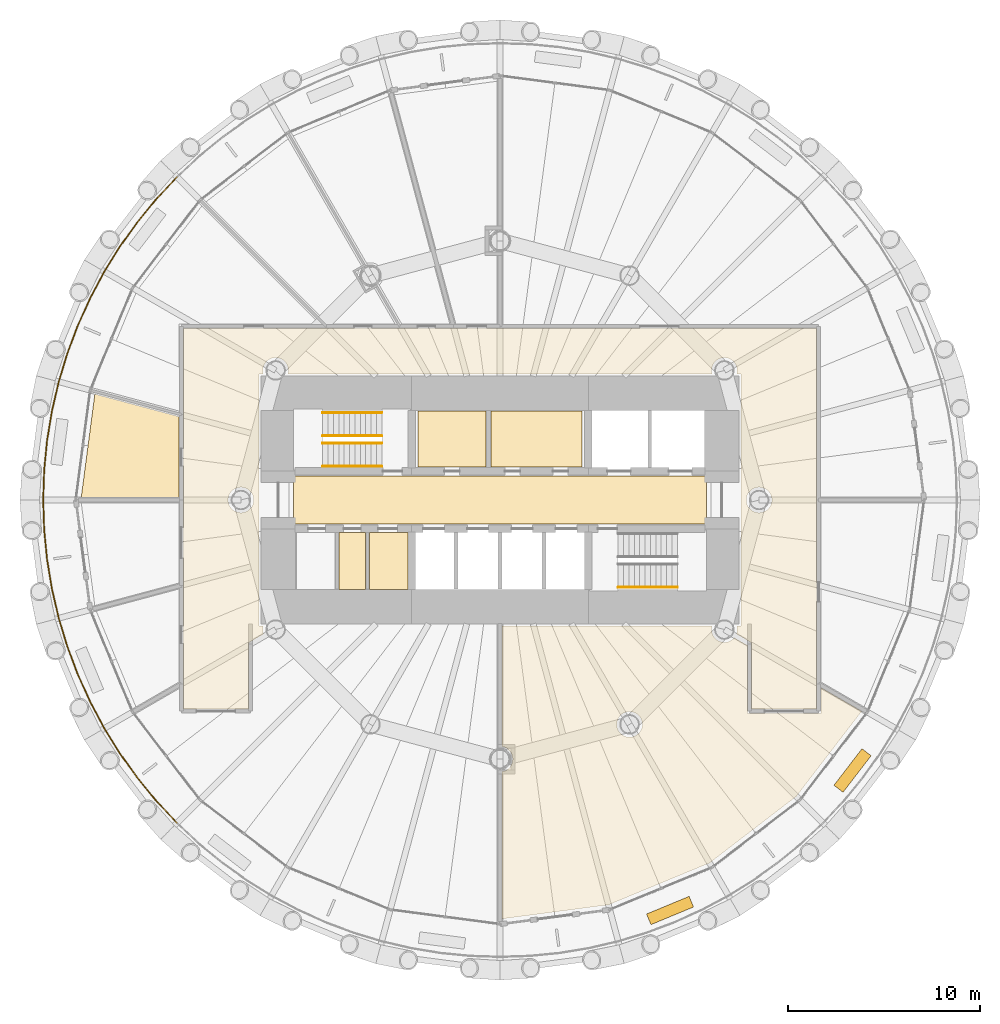
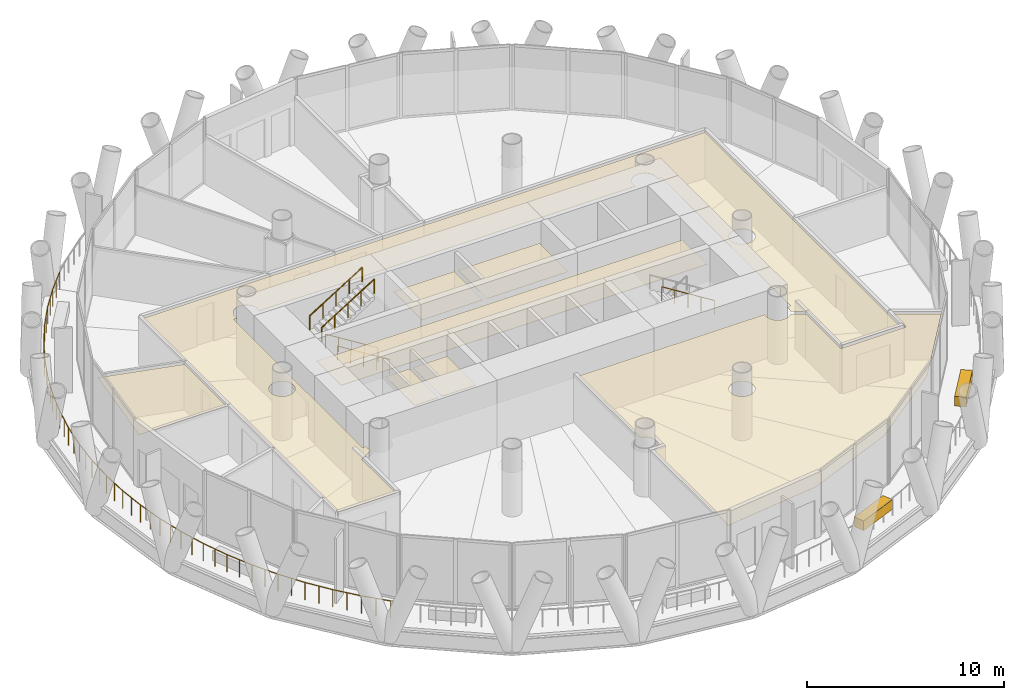
# One storey, part 13 of 15: 10 coverings, 6 railings.
"""IFC4 building model written with IfcOpenShell, lengths in metres."""

from ifc_helpers import new_model, si_unit, direction, frame, origin, origin_2d, place, context, subcontext, project, spatial, polyline, rectangle, circle, outline, extrude, material, layer, layer_set, type_object, element, save


model = new_model("IFC4")

# Units and contexts
model_context = context("Model", 3, precision=1e-05, world=origin(), true_north=direction((0.0, 1.0)))
body_context = subcontext(model_context, "Body", "Model", "MODEL_VIEW")
ifc_project = project(units=[si_unit("LENGTHUNIT", "METRE"), si_unit("AREAUNIT", "SQUARE_METRE"), si_unit("VOLUMEUNIT", "CUBIC_METRE"), si_unit("PLANEANGLEUNIT", "RADIAN"), si_unit("MASSUNIT", "GRAM", prefix="KILO")], contexts=[model_context])

# Site, building, storey
site_placement = place(None, origin())
site = spatial("IfcSite", under=ifc_project, at=site_placement, CompositionType="ELEMENT")
building_placement = place(site_placement, origin())
building = spatial("IfcBuilding", under=site, at=building_placement, Name="Qaws Media Tower", CompositionType="ELEMENT")
storey_placement = place(building_placement, frame((0.0, 0.0, 177.199951171875)))
storey = spatial("IfcBuildingStorey", under=building, at=storey_placement, Name="L40", CompositionType="ELEMENT", Elevation=177.199951171875)

# Railing
ifc_material_1 = material(Name="Stainless steel and glass guard", Category="steel")
railing_type_1 = type_object("IfcRailingType", Name="Balcony guard 1100", PredefinedType="GUARDRAIL", material=ifc_material_1)
railing_1_placement = place(storey_placement, frame((43.1708984375, 66.8291015625, 0.0)))
element("IfcRailing", 1, at=railing_1_placement, inside=storey, type_object=railing_type_1, Name="GR1 balcony guard L40-2", PredefinedType="GUARDRAIL", context=body_context, shape_type="SweptSolid", body=[
    extrude(circle(Radius=0.02392578125, at=origin_2d()), frame((0.0, 0.0, 1.076171875), z_axis=(-0.683607342491, -0.729849985471, 0.0), x_axis=(0.729849985471, -0.683607342491, 0.0)), (0.0, 0.0, 1.0), 1.557373046875),
    extrude(circle(Radius=0.02392578125, at=origin_2d()), frame((-1.064697265625, -1.13671875, 1.076171875), z_axis=(-0.634415098536, -0.772992550255, 0.0), x_axis=(0.772992550255, -0.634415098536, 0.0)), (0.0, 0.0, 1.0), 1.557373046875),
    extrude(circle(Radius=0.02392578125, at=origin_2d()), frame((-2.052734375, -2.340576171875, 1.076171875), z_axis=(-0.582527572079, -0.812810942204, 0.0), x_axis=(0.812810942204, -0.582527572079, 0.0)), (0.0, 0.0, 1.0), 1.557373046875),
    extrude(circle(Radius=0.02392578125, at=origin_2d()), frame((-2.9599609375, -3.6064453125, 1.076171875), z_axis=(-0.527940232617, -0.849281526223, 0.0), x_axis=(0.849281526223, -0.527940232617, 0.0)), (0.0, 0.0, 1.0), 1.5576171875),
    extrude(circle(Radius=0.02392578125, at=origin_2d()), frame((-3.7822265625, -4.92919921875, 1.076171875), z_axis=(-0.471377271187, -0.881931668673, 0.0), x_axis=(0.881931668673, -0.471377271187, 0.0)), (0.0, 0.0, 1.0), 1.557373046875),
    extrude(circle(Radius=0.02392578125, at=origin_2d()), frame((-4.516357421875, -6.302734375, 1.076171875), z_axis=(-0.412775086352, -0.910832985836, 0.0), x_axis=(0.910832985836, -0.412775086352, 0.0)), (0.0, 0.0, 1.0), 1.557373046875),
    extrude(circle(Radius=0.02392578125, at=origin_2d()), frame((-5.1591796875, -7.72119140625, 1.076171875), z_axis=(-0.352205389808, -0.935922733665, 0.0), x_axis=(0.935922733665, -0.352205389808, 0.0)), (0.0, 0.0, 1.0), 1.5576171875),
    extrude(circle(Radius=0.02392578125, at=origin_2d()), frame((-5.707763671875, -9.178955078125, 1.076171875), z_axis=(-0.29033805853, -0.956924141073, 0.0), x_axis=(0.956924141073, -0.29033805853, 0.0)), (0.0, 0.0, 1.0), 1.557373046875),
    extrude(circle(Radius=0.02392578125, at=origin_2d()), frame((-6.159912109375, -10.669189453125, 1.076171875), z_axis=(-0.227125557152, -0.973865484186, 0.0), x_axis=(0.973865484186, -0.227125557152, 0.0)), (0.0, 0.0, 1.0), 1.5576171875),
    extrude(circle(Radius=0.02392578125, at=origin_2d()), frame((-6.513671875, -12.18603515625, 1.076171875), z_axis=(-0.162873559095, -0.9866469499, 0.0), x_axis=(0.9866469499, -0.162873559095, 0.0)), (0.0, 0.0, 1.0), 1.557373046875),
    extrude(circle(Radius=0.02392578125, at=origin_2d()), frame((-6.767333984375, -13.72265625, 1.076171875), z_axis=(-0.097982449474, -0.995188142813, 0.0), x_axis=(0.995188142813, -0.097982449474, 0.0)), (0.0, 0.0, 1.0), 1.557373046875),
    extrude(circle(Radius=0.02392578125, at=origin_2d()), frame((-6.919921875, -15.2724609375, 1.076171875), z_axis=(-0.032761575887, -0.999463195493, 0.0), x_axis=(0.999463195493, -0.032761575887, 0.0)), (0.0, 0.0, 1.0), 1.557373046875),
    extrude(circle(Radius=0.02392578125, at=origin_2d()), frame((-6.970947265625, -16.8291015625, 1.076171875), z_axis=(0.032761575887, -0.999463195493, 0.0), x_axis=(0.999463195493, 0.032761575887, 0.0)), (0.0, 0.0, 1.0), 1.557373046875),
    extrude(circle(Radius=0.02392578125, at=origin_2d()), frame((-6.919921875, -18.3857421875, 1.076171875), z_axis=(0.097982449474, -0.995188142813, 0.0), x_axis=(0.995188142813, 0.097982449474, 0.0)), (0.0, 0.0, 1.0), 1.557373046875),
    extrude(circle(Radius=0.02392578125, at=origin_2d()), frame((-6.767333984375, -19.935546875, 1.076171875), z_axis=(0.162873559095, -0.9866469499, 0.0), x_axis=(0.9866469499, 0.162873559095, 0.0)), (0.0, 0.0, 1.0), 1.557373046875),
    extrude(circle(Radius=0.02392578125, at=origin_2d()), frame((-6.513671875, -21.47216796875, 1.076171875), z_axis=(0.227125557152, -0.973865484186, 0.0), x_axis=(0.973865484186, 0.227125557152, 0.0)), (0.0, 0.0, 1.0), 1.5576171875),
    extrude(circle(Radius=0.02392578125, at=origin_2d()), frame((-6.159912109375, -22.989013671875, 1.076171875), z_axis=(0.29033805853, -0.956924141073, 0.0), x_axis=(0.956924141073, 0.29033805853, 0.0)), (0.0, 0.0, 1.0), 1.557373046875),
    extrude(circle(Radius=0.02392578125, at=origin_2d()), frame((-5.707763671875, -24.479248046875, 1.076171875), z_axis=(0.352205389808, -0.935922733665, 0.0), x_axis=(0.935922733665, 0.352205389808, 0.0)), (0.0, 0.0, 1.0), 1.5576171875),
    extrude(circle(Radius=0.02392578125, at=origin_2d()), frame((-5.1591796875, -25.93701171875, 1.076171875), z_axis=(0.412775086352, -0.910832985836, 0.0), x_axis=(0.910832985836, 0.412775086352, 0.0)), (0.0, 0.0, 1.0), 1.557373046875),
    extrude(circle(Radius=0.02392578125, at=origin_2d()), frame((-4.516357421875, -27.35546875, 1.076171875), z_axis=(0.471377271187, -0.881931668673, 0.0), x_axis=(0.881931668673, 0.471377271187, 0.0)), (0.0, 0.0, 1.0), 1.557373046875),
    extrude(circle(Radius=0.02392578125, at=origin_2d()), frame((-3.7822265625, -28.72900390625, 1.076171875), z_axis=(0.527940232617, -0.849281526223, 0.0), x_axis=(0.849281526223, 0.527940232617, 0.0)), (0.0, 0.0, 1.0), 1.5576171875),
    extrude(circle(Radius=0.02392578125, at=origin_2d()), frame((-2.9599609375, -30.0517578125, 1.076171875), z_axis=(0.582527572079, -0.812810942204, 0.0), x_axis=(0.812810942204, 0.582527572079, 0.0)), (0.0, 0.0, 1.0), 1.557373046875),
    extrude(circle(Radius=0.02392578125, at=origin_2d()), frame((-2.052734375, -31.317626953125, 1.076171875), z_axis=(0.634415098536, -0.772992550255, 0.0), x_axis=(0.772992550255, 0.634415098536, 0.0)), (0.0, 0.0, 1.0), 1.557373046875),
    extrude(circle(Radius=0.02392578125, at=origin_2d()), frame((-1.064697265625, -32.521484375, 1.076171875), z_axis=(0.683607342491, -0.729849985471, 0.0), x_axis=(0.729849985471, 0.683607342491, 0.0)), (0.0, 0.0, 1.0), 1.557373046875),
    extrude(circle(Radius=0.02099609375, at=origin_2d()), origin(), (0.0, 0.0, 1.0), 1.052001953125),
    extrude(circle(Radius=0.02099609375, at=origin_2d()), frame((-0.5322265625, -0.568359375, 0.0)), (0.0, 0.0, 1.0), 1.052001953125),
    extrude(circle(Radius=0.02099609375, at=origin_2d()), frame((-1.064697265625, -1.13671875, 0.0)), (0.0, 0.0, 1.0), 1.052001953125),
    extrude(circle(Radius=0.02099609375, at=origin_2d()), frame((-1.55859375, -1.73876953125, 0.0)), (0.0, 0.0, 1.0), 1.052001953125),
    extrude(circle(Radius=0.02099609375, at=origin_2d()), frame((-2.052734375, -2.340576171875, 0.0)), (0.0, 0.0, 1.0), 1.052001953125),
    extrude(circle(Radius=0.02099609375, at=origin_2d()), frame((-2.50634765625, -2.9736328125, 0.0)), (0.0, 0.0, 1.0), 1.052001953125),
    extrude(circle(Radius=0.02099609375, at=origin_2d()), frame((-2.9599609375, -3.6064453125, 0.0)), (0.0, 0.0, 1.0), 1.052001953125),
    extrude(circle(Radius=0.02099609375, at=origin_2d()), frame((-3.37109375, -4.267822265625, 0.0)), (0.0, 0.0, 1.0), 1.052001953125),
    extrude(circle(Radius=0.02099609375, at=origin_2d()), frame((-3.7822265625, -4.92919921875, 0.0)), (0.0, 0.0, 1.0), 1.052001953125),
    extrude(circle(Radius=0.02099609375, at=origin_2d()), frame((-4.1494140625, -5.615966796875, 0.0)), (0.0, 0.0, 1.0), 1.052001953125),
    extrude(circle(Radius=0.02099609375, at=origin_2d()), frame((-4.516357421875, -6.302734375, 0.0)), (0.0, 0.0, 1.0), 1.052001953125),
    extrude(circle(Radius=0.02099609375, at=origin_2d()), frame((-4.837890625, -7.011962890625, 0.0)), (0.0, 0.0, 1.0), 1.052001953125),
    extrude(circle(Radius=0.02099609375, at=origin_2d()), frame((-5.1591796875, -7.72119140625, 0.0)), (0.0, 0.0, 1.0), 1.052001953125),
    extrude(circle(Radius=0.02099609375, at=origin_2d()), frame((-5.43359375, -8.4501953125, 0.0)), (0.0, 0.0, 1.0), 1.052001953125),
    extrude(circle(Radius=0.02099609375, at=origin_2d()), frame((-5.707763671875, -9.178955078125, 0.0)), (0.0, 0.0, 1.0), 1.052001953125),
    extrude(circle(Radius=0.02099609375, at=origin_2d()), frame((-5.933837890625, -9.924072265625, 0.0)), (0.0, 0.0, 1.0), 1.052001953125),
    extrude(circle(Radius=0.02099609375, at=origin_2d()), frame((-6.159912109375, -10.669189453125, 0.0)), (0.0, 0.0, 1.0), 1.052001953125),
    extrude(circle(Radius=0.02099609375, at=origin_2d()), frame((-6.3369140625, -11.427734375, 0.0)), (0.0, 0.0, 1.0), 1.052001953125),
    extrude(circle(Radius=0.02099609375, at=origin_2d()), frame((-6.513671875, -12.18603515625, 0.0)), (0.0, 0.0, 1.0), 1.052001953125),
    extrude(circle(Radius=0.02099609375, at=origin_2d()), frame((-6.640625, -12.954345703125, 0.0)), (0.0, 0.0, 1.0), 1.052001953125),
    extrude(circle(Radius=0.02099609375, at=origin_2d()), frame((-6.767333984375, -13.72265625, 0.0)), (0.0, 0.0, 1.0), 1.052001953125),
    extrude(circle(Radius=0.02099609375, at=origin_2d()), frame((-6.84375, -14.49755859375, 0.0)), (0.0, 0.0, 1.0), 1.052001953125),
    extrude(circle(Radius=0.02099609375, at=origin_2d()), frame((-6.919921875, -15.2724609375, 0.0)), (0.0, 0.0, 1.0), 1.052001953125),
    extrude(circle(Radius=0.02099609375, at=origin_2d()), frame((-6.9453125, -16.05078125, 0.0)), (0.0, 0.0, 1.0), 1.052001953125),
    extrude(circle(Radius=0.02099609375, at=origin_2d()), frame((-6.970947265625, -16.8291015625, 0.0)), (0.0, 0.0, 1.0), 1.052001953125),
    extrude(circle(Radius=0.02099609375, at=origin_2d()), frame((-6.9453125, -17.607421875, 0.0)), (0.0, 0.0, 1.0), 1.052001953125),
    extrude(circle(Radius=0.02099609375, at=origin_2d()), frame((-6.919921875, -18.3857421875, 0.0)), (0.0, 0.0, 1.0), 1.052001953125),
    extrude(circle(Radius=0.02099609375, at=origin_2d()), frame((-6.84375, -19.16064453125, 0.0)), (0.0, 0.0, 1.0), 1.052001953125),
    extrude(circle(Radius=0.02099609375, at=origin_2d()), frame((-6.767333984375, -19.935546875, 0.0)), (0.0, 0.0, 1.0), 1.052001953125),
    extrude(circle(Radius=0.02099609375, at=origin_2d()), frame((-6.640625, -20.703857421875, 0.0)), (0.0, 0.0, 1.0), 1.052001953125),
    extrude(circle(Radius=0.02099609375, at=origin_2d()), frame((-6.513671875, -21.47216796875, 0.0)), (0.0, 0.0, 1.0), 1.052001953125),
    extrude(circle(Radius=0.02099609375, at=origin_2d()), frame((-6.3369140625, -22.23046875, 0.0)), (0.0, 0.0, 1.0), 1.052001953125),
    extrude(circle(Radius=0.02099609375, at=origin_2d()), frame((-6.159912109375, -22.989013671875, 0.0)), (0.0, 0.0, 1.0), 1.052001953125),
    extrude(circle(Radius=0.02099609375, at=origin_2d()), frame((-5.933837890625, -23.734130859375, 0.0)), (0.0, 0.0, 1.0), 1.052001953125),
    extrude(circle(Radius=0.02099609375, at=origin_2d()), frame((-5.707763671875, -24.479248046875, 0.0)), (0.0, 0.0, 1.0), 1.052001953125),
    extrude(circle(Radius=0.02099609375, at=origin_2d()), frame((-5.43359375, -25.2080078125, 0.0)), (0.0, 0.0, 1.0), 1.052001953125),
    extrude(circle(Radius=0.02099609375, at=origin_2d()), frame((-5.1591796875, -25.93701171875, 0.0)), (0.0, 0.0, 1.0), 1.052001953125),
    extrude(circle(Radius=0.02099609375, at=origin_2d()), frame((-4.837890625, -26.646240234375, 0.0)), (0.0, 0.0, 1.0), 1.052001953125),
    extrude(circle(Radius=0.02099609375, at=origin_2d()), frame((-4.516357421875, -27.35546875, 0.0)), (0.0, 0.0, 1.0), 1.052001953125),
    extrude(circle(Radius=0.02099609375, at=origin_2d()), frame((-4.1494140625, -28.042236328125, 0.0)), (0.0, 0.0, 1.0), 1.052001953125),
    extrude(circle(Radius=0.02099609375, at=origin_2d()), frame((-3.7822265625, -28.72900390625, 0.0)), (0.0, 0.0, 1.0), 1.052001953125),
    extrude(circle(Radius=0.02099609375, at=origin_2d()), frame((-3.37109375, -29.390380859375, 0.0)), (0.0, 0.0, 1.0), 1.052001953125),
    extrude(circle(Radius=0.02099609375, at=origin_2d()), frame((-2.9599609375, -30.0517578125, 0.0)), (0.0, 0.0, 1.0), 1.052001953125),
    extrude(circle(Radius=0.02099609375, at=origin_2d()), frame((-2.50634765625, -30.6845703125, 0.0)), (0.0, 0.0, 1.0), 1.052001953125),
    extrude(circle(Radius=0.02099609375, at=origin_2d()), frame((-2.052734375, -31.317626953125, 0.0)), (0.0, 0.0, 1.0), 1.052001953125),
    extrude(circle(Radius=0.02099609375, at=origin_2d()), frame((-1.55859375, -31.91943359375, 0.0)), (0.0, 0.0, 1.0), 1.052001953125),
    extrude(circle(Radius=0.02099609375, at=origin_2d()), frame((-1.064697265625, -32.521484375, 0.0)), (0.0, 0.0, 1.0), 1.052001953125),
    extrude(circle(Radius=0.02099609375, at=origin_2d()), frame((-0.5322265625, -33.08984375, 0.0)), (0.0, 0.0, 1.0), 1.052001953125),
    extrude(circle(Radius=0.02099609375, at=origin_2d()), frame((0.0, -33.658203125, 0.0)), (0.0, 0.0, 1.0), 1.052001953125),
])

# Coverings
ifc_material_2 = material(Name="600 x 600 mineral fibre tiles in exposed grid, suspended", Category="mineral fibre")
ifc_layer_1 = layer(ifc_material_2, 0.02001953125)
ifc_layer_set_1 = layer_set([ifc_layer_1], Name="Mineral fibre tile ceiling 20")
covering_type_1 = type_object("IfcCoveringType", Name="Mineral fibre tile ceiling 20", PredefinedType="CEILING", material=ifc_layer_set_1)
covering_1_placement = place(storey_placement, frame((0.0, 0.0, 2.85009765625)))
element("IfcCovering", 2, at=covering_1_placement, inside=storey, type_object=covering_type_1, Name="CL1 ceiling L40-C07 Gents toilets", PredefinedType="CEILING", context=body_context, shape_type="SweptSolid", body=[
    extrude(outline(polyline([(55.719970703125, 51.719970703125), (55.719970703125, 54.6298828125), (59.280029296875, 54.6298828125), (59.280029296875, 51.719970703125), (55.719970703125, 51.719970703125)])), origin(), (0.0, 0.0, 1.0), 0.02001953125),
])
covering_2_placement = place(storey_placement, frame((0.0, 0.0, 2.85009765625)))
element("IfcCovering", 3, at=covering_2_placement, inside=storey, type_object=covering_type_1, Name="CL1 ceiling L40-C08 Ladies toilets", PredefinedType="CEILING", context=body_context, shape_type="SweptSolid", body=[
    extrude(outline(polyline([(59.52001953125, 51.719970703125), (59.52001953125, 54.6298828125), (64.280029296875, 54.6298828125), (64.280029296875, 51.719970703125), (59.52001953125, 51.719970703125)])), origin(), (0.0, 0.0, 1.0), 0.02001953125),
])
covering_3_placement = place(storey_placement, frame((0.0, 0.0, 2.85009765625)))
element("IfcCovering", 4, at=covering_3_placement, inside=storey, type_object=covering_type_1, Name="CL1 ceiling L40-01 Corridor", PredefinedType="CEILING", context=body_context, shape_type="SweptSolid", body=[
    extrude(outline(polyline([(43.512451171875, 39.112548828125), (43.512451171875, 58.9375), (76.487548828125, 58.9375), (76.487548828125, 39.112548828125), (73.112548828125, 39.112548828125), (73.112548828125, 42.559326171875), (72.31689453125, 43.018798828125), (72.336669921875, 43.0771484375), (72.353515625, 43.162841796875), (72.359375, 43.25), (72.353515625, 43.337158203125), (72.336669921875, 43.4228515625), (72.33154296875, 43.4375), (72.5625, 43.4375), (72.5625, 56.5625), (72.33154296875, 56.5625), (72.336669921875, 56.5771484375), (72.353515625, 56.662841796875), (72.359375, 56.75), (72.353515625, 56.837158203125), (72.336669921875, 56.9228515625), (72.30859375, 57.005615234375), (72.269775390625, 57.083984375), (72.22119140625, 57.15673828125), (72.163818359375, 57.222412109375), (72.097900390625, 57.280029296875), (72.025390625, 57.32861328125), (71.947021484375, 57.3671875), (71.8642578125, 57.395263671875), (71.778564453125, 57.412353515625), (71.69140625, 57.41796875), (71.604248046875, 57.412353515625), (71.5185546875, 57.395263671875), (71.435791015625, 57.3671875), (71.357421875, 57.32861328125), (71.28466796875, 57.280029296875), (71.218994140625, 57.222412109375), (71.161376953125, 57.15673828125), (71.11279296875, 57.083984375), (71.07421875, 57.005615234375), (71.046142578125, 56.9228515625), (71.029052734375, 56.837158203125), (71.023193359375, 56.75), (71.029052734375, 56.662841796875), (71.046142578125, 56.5771484375), (71.051025390625, 56.5625), (48.948974609375, 56.5625), (48.953857421875, 56.5771484375), (48.970947265625, 56.662841796875), (48.976806640625, 56.75), (48.970947265625, 56.837158203125), (48.953857421875, 56.9228515625), (48.92578125, 57.005615234375), (48.88720703125, 57.083984375), (48.838623046875, 57.15673828125), (48.781005859375, 57.222412109375), (48.71533203125, 57.280029296875), (48.642578125, 57.32861328125), (48.564208984375, 57.3671875), (48.4814453125, 57.395263671875), (48.395751953125, 57.412353515625), (48.30859375, 57.41796875), (48.221435546875, 57.412353515625), (48.1357421875, 57.395263671875), (48.052978515625, 57.3671875), (47.974609375, 57.32861328125), (47.902099609375, 57.280029296875), (47.836181640625, 57.222412109375), (47.77880859375, 57.15673828125), (47.730224609375, 57.083984375), (47.69140625, 57.005615234375), (47.663330078125, 56.9228515625), (47.646484375, 56.837158203125), (47.640625, 56.75), (47.646484375, 56.662841796875), (47.663330078125, 56.5771484375), (47.66845703125, 56.5625), (47.4375, 56.5625), (47.4375, 43.4375), (47.66845703125, 43.4375), (47.663330078125, 43.4228515625), (47.646484375, 43.337158203125), (47.640625, 43.25), (47.646484375, 43.162841796875), (47.663330078125, 43.0771484375), (47.68310546875, 43.018798828125), (46.887451171875, 42.559326171875), (46.887451171875, 39.112548828125), (43.512451171875, 39.112548828125)]), holes=[polyline([(47.1171875, 49.744384765625), (47.145263671875, 49.8271484375), (47.162353515625, 49.912841796875), (47.16796875, 50.0), (47.162353515625, 50.087158203125), (47.145263671875, 50.1728515625), (47.1171875, 50.255615234375), (47.07861328125, 50.333984375), (47.030029296875, 50.40673828125), (46.972412109375, 50.472412109375), (46.90673828125, 50.530029296875), (46.833984375, 50.57861328125), (46.755615234375, 50.6171875), (46.6728515625, 50.645263671875), (46.587158203125, 50.662353515625), (46.5, 50.66796875), (46.412841796875, 50.662353515625), (46.3271484375, 50.645263671875), (46.244384765625, 50.6171875), (46.166015625, 50.57861328125), (46.09326171875, 50.530029296875), (46.027587890625, 50.472412109375), (45.969970703125, 50.40673828125), (45.92138671875, 50.333984375), (45.8828125, 50.255615234375), (45.854736328125, 50.1728515625), (45.837646484375, 50.087158203125), (45.83203125, 50.0), (45.837646484375, 49.912841796875), (45.854736328125, 49.8271484375), (45.8828125, 49.744384765625), (45.92138671875, 49.666015625), (45.969970703125, 49.59326171875), (46.027587890625, 49.527587890625), (46.09326171875, 49.469970703125), (46.166015625, 49.42138671875), (46.244384765625, 49.3828125), (46.3271484375, 49.354736328125), (46.412841796875, 49.337646484375), (46.5, 49.33203125), (46.587158203125, 49.337646484375), (46.6728515625, 49.354736328125), (46.755615234375, 49.3828125), (46.833984375, 49.42138671875), (46.90673828125, 49.469970703125), (46.972412109375, 49.527587890625), (47.030029296875, 49.59326171875), (47.07861328125, 49.666015625), (47.1171875, 49.744384765625)]), polyline([(74.145263671875, 49.8271484375), (74.162353515625, 49.912841796875), (74.16796875, 50.0), (74.162353515625, 50.087158203125), (74.145263671875, 50.1728515625), (74.1171875, 50.255615234375), (74.07861328125, 50.333984375), (74.030029296875, 50.40673828125), (73.972412109375, 50.472412109375), (73.90673828125, 50.530029296875), (73.833984375, 50.57861328125), (73.755615234375, 50.6171875), (73.6728515625, 50.645263671875), (73.587158203125, 50.662353515625), (73.5, 50.66796875), (73.412841796875, 50.662353515625), (73.3271484375, 50.645263671875), (73.244384765625, 50.6171875), (73.166015625, 50.57861328125), (73.09326171875, 50.530029296875), (73.027587890625, 50.472412109375), (72.969970703125, 50.40673828125), (72.92138671875, 50.333984375), (72.8828125, 50.255615234375), (72.854736328125, 50.1728515625), (72.837646484375, 50.087158203125), (72.83203125, 50.0), (72.837646484375, 49.912841796875), (72.854736328125, 49.8271484375), (72.8828125, 49.744384765625), (72.92138671875, 49.666015625), (72.969970703125, 49.59326171875), (73.027587890625, 49.527587890625), (73.09326171875, 49.469970703125), (73.166015625, 49.42138671875), (73.244384765625, 49.3828125), (73.3271484375, 49.354736328125), (73.412841796875, 49.337646484375), (73.5, 49.33203125), (73.587158203125, 49.337646484375), (73.6728515625, 49.354736328125), (73.755615234375, 49.3828125), (73.833984375, 49.42138671875), (73.90673828125, 49.469970703125), (73.972412109375, 49.527587890625), (74.030029296875, 49.59326171875), (74.07861328125, 49.666015625), (74.1171875, 49.744384765625), (74.145263671875, 49.8271484375)])]), origin(), (0.0, 0.0, 1.0), 0.02001953125),
])
covering_4_placement = place(storey_placement, frame((0.0, 0.0, 2.85009765625)))
element("IfcCovering", 5, at=covering_4_placement, inside=storey, type_object=covering_type_1, Name="CL1 ceiling L40-07 Office", PredefinedType="CEILING", context=body_context, shape_type="SweptSolid", body=[
    extrude(outline(polyline([(38.89404296875, 55.538818359375), (43.28759765625, 54.361572265625), (43.28759765625, 50.112548828125), (38.1796875, 50.112548828125), (38.89404296875, 55.538818359375)])), origin(), (0.0, 0.0, 1.0), 0.02001953125),
])
covering_5_placement = place(storey_placement, frame((0.0, 0.0, 2.85009765625)))
element("IfcCovering", 6, at=covering_5_placement, inside=storey, type_object=covering_type_1, Name="CL1 ceiling L40-11 Communications office", PredefinedType="CEILING", context=body_context, shape_type="SweptSolid", body=[
    extrude(outline(polyline([(72.887451171875, 38.887451171875), (76.71240234375, 38.887451171875), (76.71240234375, 40.22119140625), (78.8408203125, 38.992431640625), (75.439697265625, 34.560302734375), (70.91748046875, 31.090087890625), (65.6513671875, 28.90869140625), (60.112548828125, 28.1796875), (60.112548828125, 35.8427734375), (60.1728515625, 35.854736328125), (60.255615234375, 35.8828125), (60.333984375, 35.92138671875), (60.40673828125, 35.969970703125), (60.472412109375, 36.027587890625), (60.530029296875, 36.09326171875), (60.57861328125, 36.166015625), (60.6171875, 36.244384765625), (60.645263671875, 36.3271484375), (60.662353515625, 36.412841796875), (60.66796875, 36.5), (60.662353515625, 36.587158203125), (60.645263671875, 36.6728515625), (60.6171875, 36.755615234375), (60.57861328125, 36.833984375), (60.530029296875, 36.90673828125), (60.472412109375, 36.972412109375), (60.40673828125, 37.030029296875), (60.333984375, 37.07861328125), (60.255615234375, 37.1171875), (60.1728515625, 37.145263671875), (60.112548828125, 37.1572265625), (60.112548828125, 43.4375), (71.051025390625, 43.4375), (71.046142578125, 43.4228515625), (71.029052734375, 43.337158203125), (71.023193359375, 43.25), (71.029052734375, 43.162841796875), (71.046142578125, 43.0771484375), (71.07421875, 42.994384765625), (71.11279296875, 42.916015625), (71.161376953125, 42.84326171875), (71.218994140625, 42.777587890625), (71.28466796875, 42.719970703125), (71.357421875, 42.67138671875), (71.435791015625, 42.6328125), (71.5185546875, 42.604736328125), (71.604248046875, 42.587646484375), (71.69140625, 42.58203125), (71.778564453125, 42.587646484375), (71.8642578125, 42.604736328125), (71.947021484375, 42.6328125), (72.025390625, 42.67138671875), (72.097900390625, 42.719970703125), (72.163818359375, 42.777587890625), (72.204345703125, 42.823974609375), (72.887451171875, 42.429443359375), (72.887451171875, 38.887451171875)]), holes=[polyline([(67.3671875, 38.052978515625), (67.395263671875, 38.1357421875), (67.412353515625, 38.221435546875), (67.41796875, 38.30859375), (67.412353515625, 38.395751953125), (67.395263671875, 38.4814453125), (67.3671875, 38.564208984375), (67.32861328125, 38.642578125), (67.280029296875, 38.71533203125), (67.222412109375, 38.781005859375), (67.15673828125, 38.838623046875), (67.083984375, 38.88720703125), (67.005615234375, 38.92578125), (66.9228515625, 38.953857421875), (66.837158203125, 38.970947265625), (66.75, 38.976806640625), (66.662841796875, 38.970947265625), (66.5771484375, 38.953857421875), (66.494384765625, 38.92578125), (66.416015625, 38.88720703125), (66.34326171875, 38.838623046875), (66.277587890625, 38.781005859375), (66.219970703125, 38.71533203125), (66.17138671875, 38.642578125), (66.1328125, 38.564208984375), (66.104736328125, 38.4814453125), (66.087646484375, 38.395751953125), (66.08203125, 38.30859375), (66.087646484375, 38.221435546875), (66.104736328125, 38.1357421875), (66.1328125, 38.052978515625), (66.17138671875, 37.974609375), (66.219970703125, 37.902099609375), (66.277587890625, 37.836181640625), (66.34326171875, 37.77880859375), (66.416015625, 37.730224609375), (66.494384765625, 37.69140625), (66.5771484375, 37.663330078125), (66.662841796875, 37.646484375), (66.75, 37.640625), (66.837158203125, 37.646484375), (66.9228515625, 37.663330078125), (67.005615234375, 37.69140625), (67.083984375, 37.730224609375), (67.15673828125, 37.77880859375), (67.222412109375, 37.836181640625), (67.280029296875, 37.902099609375), (67.32861328125, 37.974609375), (67.3671875, 38.052978515625)])]), origin(), (0.0, 0.0, 1.0), 0.02001953125),
])
covering_6_placement = place(storey_placement, frame((0.0, 0.0, 2.85009765625)))
element("IfcCovering", 7, at=covering_6_placement, inside=storey, type_object=covering_type_1, Name="CL1 ceiling L40-C05 First aid room", PredefinedType="CEILING", context=body_context, shape_type="SweptSolid", body=[
    extrude(outline(polyline([(51.60009765625, 45.35009765625), (51.60009765625, 48.300048828125), (53.0, 48.300048828125), (53.0, 45.35009765625), (51.60009765625, 45.35009765625)])), origin(), (0.0, 0.0, 1.0), 0.02001953125),
])
ifc_material_3 = material(Name="Precast concrete planter with trailing planting", Category="concrete")
ifc_layer_2 = layer(ifc_material_3, 0.60009765625)
ifc_layer_set_2 = layer_set([ifc_layer_2], Name="Planter 2400x600")
covering_type_2 = type_object("IfcCoveringType", Name="Planter 2400x600", PredefinedType="USERDEFINED", material=ifc_layer_set_2)
for number, where, z_axis, x_axis, name in (
    (8, (68.859130859375, 28.6123046875, 0.0), (0.0, 0.0, 1.0), (0.923879532511, 0.382683432365, 0.0), "PL1 balcony planter L40-10"),
    (9, (78.3662109375, 35.9072265625, 0.0), (0.0, 0.0, 1.0), (0.608761429009, 0.793353340291, 0.0), "PL1 balcony planter L40-11"),
):
    element("IfcCovering", number, at=place(storey_placement, frame(where, z_axis=z_axis, x_axis=x_axis)), inside=storey, type_object=covering_type_2, Name=name, ObjectType="PLANTER", PredefinedType="USERDEFINED", context=body_context, shape_type="SweptSolid", body=[
        extrude(rectangle(XDim=2.39990234375, YDim=0.60009765625, at=origin_2d()), origin(), (0.0, 0.0, 1.0), 0.60009765625),
    ])
ifc_material_4 = material(Name="Two layers 12.5 moisture-resistant plasterboard on suspended metal furring", Category="gypsum")
ifc_layer_3 = layer(ifc_material_4, 0.02490234375)
ifc_layer_set_3 = layer_set([ifc_layer_3], Name="Plasterboard ceiling 25")
covering_type_3 = type_object("IfcCoveringType", Name="Plasterboard ceiling 25", PredefinedType="CEILING", material=ifc_layer_set_3)
covering_7_placement = place(storey_placement, frame((0.0, 0.0, 2.85009765625)))
element("IfcCovering", 10, at=covering_7_placement, inside=storey, type_object=covering_type_3, Name="CL2 ceiling L40-C01 Lift lobby", PredefinedType="CEILING", context=body_context, shape_type="SweptSolid", body=[
    extrude(outline(polyline([(49.25, 48.75), (49.25, 51.25), (70.75, 51.25), (70.75, 48.75), (49.25, 48.75)])), origin(), (0.0, 0.0, 1.0), 0.02490234375),
])
covering_8_placement = place(storey_placement, frame((0.0, 0.0, 2.85009765625)))
element("IfcCovering", 11, at=covering_8_placement, inside=storey, type_object=covering_type_3, Name="CL2 ceiling L40-C06 Accessible WC", PredefinedType="CEILING", context=body_context, shape_type="SweptSolid", body=[
    extrude(outline(polyline([(53.199951171875, 45.35009765625), (53.199951171875, 48.300048828125), (55.199951171875, 48.300048828125), (55.199951171875, 45.35009765625), (53.199951171875, 45.35009765625)])), origin(), (0.0, 0.0, 1.0), 0.02490234375),
])

# Railings
ifc_material_5 = material(Name="Steel tube handrail", Category="steel")
railing_type_2 = type_object("IfcRailingType", Name="Stair handrail 900", PredefinedType="HANDRAIL", material=ifc_material_5)
for number, where, name in (
    (12, (53.840087890625, 51.75, 0.175048828125), "HR1 handrail S1 flight 1 L40"),
    (13, (53.840087890625, 52.9599609375, 0.175048828125), "HR1 handrail S1 flight 1 L40"),
):
    element("IfcRailing", number, at=place(storey_placement, frame(where)), inside=storey, type_object=railing_type_2, Name=name, PredefinedType="HANDRAIL", context=body_context, shape_type="SweptSolid", body=[
        extrude(circle(Radius=0.02392578125, at=origin_2d()), frame((0.0, 0.0, 0.8759765625), z_axis=(-0.847998304005, 0.0, 0.529998940003), x_axis=(0.0, -1.0, 0.0)), (0.0, 0.0, 1.0), 3.632080078125),
        extrude(circle(Radius=0.02099609375, at=origin_2d()), origin(), (0.0, 0.0, 1.0), 0.851806640625),
        extrude(circle(Radius=0.02099609375, at=origin_2d()), frame((-0.77001953125, 0.0, 0.481201171875)), (0.0, 0.0, 1.0), 0.851806640625),
        extrude(circle(Radius=0.02099609375, at=origin_2d()), frame((-1.5400390625, 0.0, 0.96240234375)), (0.0, 0.0, 1.0), 0.851806640625),
        extrude(circle(Radius=0.02099609375, at=origin_2d()), frame((-2.31005859375, 0.0, 1.44384765625)), (0.0, 0.0, 1.0), 0.851806640625),
        extrude(circle(Radius=0.02099609375, at=origin_2d()), frame((-3.080078125, 0.0, 1.925048828125)), (0.0, 0.0, 1.0), 0.851806640625),
    ])
for number, where, name in (
    (14, (50.760009765625, 54.550048828125, 2.275146484375), "HR1 handrail S1 flight 2 L40"),
    (15, (50.760009765625, 53.340087890625, 2.275146484375), "HR1 handrail S1 flight 2 L40"),
):
    element("IfcRailing", number, at=place(storey_placement, frame(where)), inside=storey, type_object=railing_type_2, Name=name, PredefinedType="HANDRAIL", context=body_context, shape_type="SweptSolid", body=[
        extrude(circle(Radius=0.02392578125, at=origin_2d()), frame((0.0, 0.0, 0.8759765625), z_axis=(0.848028513186, 0.0, 0.529950602248), x_axis=(0.0, 1.0, 0.0)), (0.0, 0.0, 1.0), 3.632080078125),
        extrude(circle(Radius=0.02099609375, at=origin_2d()), origin(), (0.0, 0.0, 1.0), 0.851806640625),
        extrude(circle(Radius=0.02099609375, at=origin_2d()), frame((0.77001953125, 0.0, 0.481201171875)), (0.0, 0.0, 1.0), 0.851806640625),
        extrude(circle(Radius=0.02099609375, at=origin_2d()), frame((1.5400390625, 0.0, 0.96240234375)), (0.0, 0.0, 1.0), 0.851806640625),
        extrude(circle(Radius=0.02099609375, at=origin_2d()), frame((2.31005859375, 0.0, 1.443603515625)), (0.0, 0.0, 1.0), 0.851806640625),
        extrude(circle(Radius=0.02099609375, at=origin_2d()), frame((3.080078125, 0.0, 1.9248046875)), (0.0, 0.0, 1.0), 0.851806640625),
    ])
railing_2_placement = place(storey_placement, frame((69.239990234375, 45.449951171875, 2.275146484375)))
element("IfcRailing", 16, at=railing_2_placement, inside=storey, type_object=railing_type_2, Name="HR1 handrail S2 flight 2 L40", PredefinedType="HANDRAIL", context=body_context, shape_type="SweptSolid", body=[
    extrude(circle(Radius=0.02392578125, at=origin_2d()), frame((0.0, 0.0, 0.8759765625), z_axis=(-0.848028513186, 0.0, 0.529950602248), x_axis=(0.0, -1.0, 0.0)), (0.0, 0.0, 1.0), 3.632080078125),
    extrude(circle(Radius=0.02099609375, at=origin_2d()), origin(), (0.0, 0.0, 1.0), 0.851806640625),
    extrude(circle(Radius=0.02099609375, at=origin_2d()), frame((-0.77001953125, 0.0, 0.481201171875)), (0.0, 0.0, 1.0), 0.851806640625),
    extrude(circle(Radius=0.02099609375, at=origin_2d()), frame((-1.5400390625, 0.0, 0.96240234375)), (0.0, 0.0, 1.0), 0.851806640625),
    extrude(circle(Radius=0.02099609375, at=origin_2d()), frame((-2.31005859375, 0.0, 1.443603515625)), (0.0, 0.0, 1.0), 0.851806640625),
    extrude(circle(Radius=0.02099609375, at=origin_2d()), frame((-3.080078125, 0.0, 1.9248046875)), (0.0, 0.0, 1.0), 0.851806640625),
])

save(model, "model.ifc")
